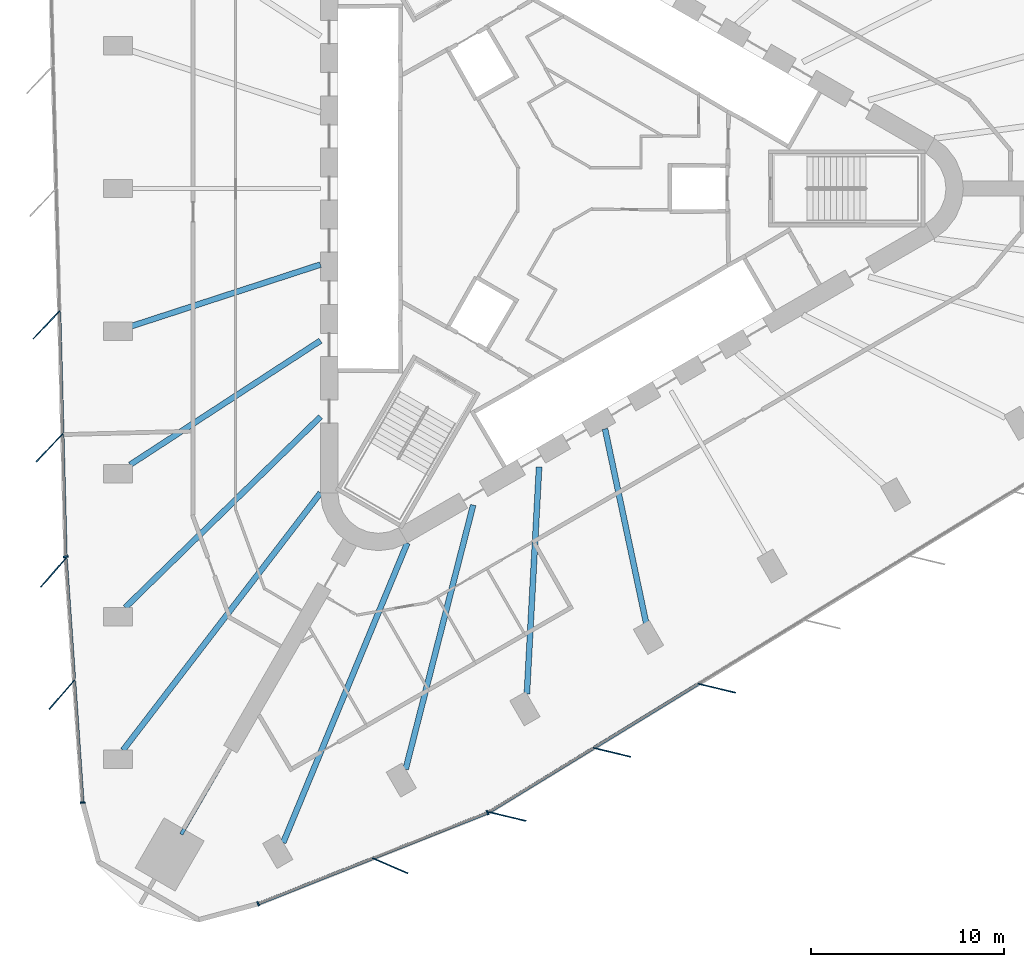
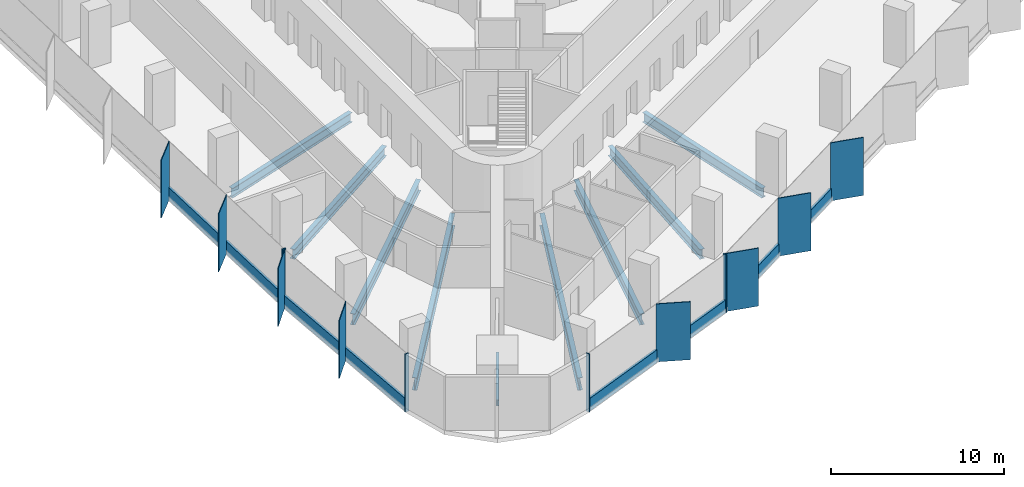
# One storey, part 2 of 14: 20 members, 9 beams, 4 elements without a shape of their own.
"""IFC4 building model written with IfcOpenShell, lengths in metres."""

from ifc_helpers import new_model, si_unit, direction, frame, origin, origin_2d, place, context, subcontext, project, spatial, rectangle, i_section, extrude, material, material_profile, profile_set, type_object, element, aggregate, save


model = new_model("IFC4")

# Units and contexts
model_context = context("Model", 3, precision=1e-05, world=origin(), true_north=direction((0.0, 1.0)))
body_context = subcontext(model_context, "Body", "Model", "MODEL_VIEW")
ifc_project = project(units=[si_unit("LENGTHUNIT", "METRE"), si_unit("AREAUNIT", "SQUARE_METRE"), si_unit("VOLUMEUNIT", "CUBIC_METRE"), si_unit("PLANEANGLEUNIT", "RADIAN"), si_unit("MASSUNIT", "GRAM", prefix="KILO")], contexts=[model_context])

# Site, building, storey
site_placement = place(None, origin())
site = spatial("IfcSite", under=ifc_project, at=site_placement, CompositionType="ELEMENT")
building_placement = place(site_placement, origin())
building = spatial("IfcBuilding", under=site, at=building_placement, Name="Tanit Gate Tower", CompositionType="ELEMENT")
storey_placement = place(building_placement, frame((0.0, 0.0, 143.89990234375)))
storey = spatial("IfcBuildingStorey", under=building, at=storey_placement, Name="L31", CompositionType="ELEMENT", Elevation=143.89990234375)

# Curtain wall, members
ifc_material_1 = material(Name="Aluminium bronze anodised and glass", Category="aluminium")
curtain_wall_type = type_object("IfcCurtainWallType", Name="Curtain wall typical low", PredefinedType="NOTDEFINED", material=ifc_material_1)
curtain_wall_1_placement = place(storey_placement, origin())
curtain_wall_1 = element("IfcCurtainWall", 1, at=curtain_wall_1_placement, inside=storey, type_object=curtain_wall_type, Name="Curtain wall L31 W2", PredefinedType="NOTDEFINED")
ifc_material_2 = material(Name="Aluminium bronze anodised", Category="aluminium")
ifc_material_profile_1 = material_profile(ifc_material_2, rectangle(XDim=2.0, YDim=0.055908203125, at=origin_2d()), Name="56x2000 bronze fin mullion")
ifc_profile_set_1 = profile_set([ifc_material_profile_1], Name="Aluminium bronze anodised")
member_type_1 = type_object("IfcMemberType", Name="FIN MULLION 56x2000 bronze", PredefinedType="MULLION", material=ifc_profile_set_1)
member_1_placement = place(storey_placement, frame((-26.29541015625, -7.067138671875, -0.2998046875), z_axis=(0.0, 0.0, 1.0), x_axis=(0.688538110764, 0.725200158595, 0.0)))
member_1 = element("IfcMember", 2, at=member_1_placement, type_object=member_type_1, Name="Fin mullion L31 W2.5", PredefinedType="MULLION", context=body_context, shape_type="SweptSolid", body=[
    extrude(rectangle(XDim=2.0, YDim=0.055908203125, at=origin_2d()), origin(), (0.0, 0.0, 1.0), 4.099853515625),
])
member_2_placement = place(storey_placement, frame((-26.130615234375, -13.4248046875, -0.2998046875), z_axis=(0.0, 0.0, 1.0), x_axis=(0.688538110764, 0.725200158595, 0.0)))
member_2 = element("IfcMember", 3, at=member_2_placement, type_object=member_type_1, Name="Fin mullion L31 W2.6", PredefinedType="MULLION", context=body_context, shape_type="SweptSolid", body=[
    extrude(rectangle(XDim=2.0, YDim=0.055908203125, at=origin_2d()), origin(), (0.0, 0.0, 1.0), 4.099853515625),
])

curtain_wall_2_placement = place(storey_placement, origin())
curtain_wall_2 = element("IfcCurtainWall", 4, at=curtain_wall_2_placement, inside=storey, type_object=curtain_wall_type, Name="Curtain wall L31 W3", PredefinedType="NOTDEFINED")
member_3_placement = place(storey_placement, frame((-25.930908203125, -19.890625, -0.2998046875), z_axis=(0.0, 0.0, 1.0), x_axis=(0.656773444634, 0.754087954037, 0.0)))
member_3 = element("IfcMember", 5, at=member_3_placement, type_object=member_type_1, Name="Fin mullion L31 W3.1", PredefinedType="MULLION", context=body_context, shape_type="SweptSolid", body=[
    extrude(rectangle(XDim=2.0, YDim=0.055908203125, at=origin_2d()), origin(), (0.0, 0.0, 1.0), 4.099853515625),
])
member_4_placement = place(storey_placement, frame((-25.49462890625, -26.216796875, -0.2998046875), z_axis=(0.0, 0.0, 1.0), x_axis=(0.656773444634, 0.754087954037, 0.0)))
member_4 = element("IfcMember", 6, at=member_4_placement, type_object=member_type_1, Name="Fin mullion L31 W3.2", PredefinedType="MULLION", context=body_context, shape_type="SweptSolid", body=[
    extrude(rectangle(XDim=2.0, YDim=0.055908203125, at=origin_2d()), origin(), (0.0, 0.0, 1.0), 4.099853515625),
])

# Curtain wall, member
curtain_wall_3_placement = place(storey_placement, origin())
curtain_wall_3 = element("IfcCurtainWall", 7, at=curtain_wall_3_placement, inside=storey, type_object=curtain_wall_type, Name="Curtain wall L31 SE1", PredefinedType="NOTDEFINED")
member_5_placement = place(storey_placement, frame((-8.491943359375, -35.07861328125, -0.2998046875), z_axis=(0.0, 0.0, 1.0), x_axis=(-0.918101720276, 0.396344838778, 0.0)))
member_5 = element("IfcMember", 8, at=member_5_placement, type_object=member_type_1, Name="Fin mullion L31 SE1.2", PredefinedType="MULLION", context=body_context, shape_type="SweptSolid", body=[
    extrude(rectangle(XDim=2.0, YDim=0.055908203125, at=origin_2d()), origin(), (0.0, 0.0, 1.0), 4.099853515625),
])

# Curtain wall, members
curtain_wall_4_placement = place(storey_placement, origin())
curtain_wall_4 = element("IfcCurtainWall", 9, at=curtain_wall_4_placement, inside=storey, type_object=curtain_wall_type, Name="Curtain wall L31 SE2", PredefinedType="NOTDEFINED")
member_6_placement = place(storey_placement, frame((-2.42578125, -32.525390625, -0.2998046875), z_axis=(0.0, 0.0, 1.0), x_axis=(-0.972310815553, 0.233691416098, 0.0)))
member_6 = element("IfcMember", 10, at=member_6_placement, type_object=member_type_1, Name="Fin mullion L31 SE2.1", PredefinedType="MULLION", context=body_context, shape_type="SweptSolid", body=[
    extrude(rectangle(XDim=2.0, YDim=0.055908203125, at=origin_2d()), origin(), (0.0, 0.0, 1.0), 4.099853515625),
])
member_7_placement = place(storey_placement, frame((2.997802734375, -29.203857421875, -0.2998046875), z_axis=(0.0, 0.0, 1.0), x_axis=(-0.972310815553, 0.233691416098, 0.0)))
member_7 = element("IfcMember", 11, at=member_7_placement, type_object=member_type_1, Name="Fin mullion L31 SE2.2", PredefinedType="MULLION", context=body_context, shape_type="SweptSolid", body=[
    extrude(rectangle(XDim=2.0, YDim=0.055908203125, at=origin_2d()), origin(), (0.0, 0.0, 1.0), 4.099853515625),
])
member_8_placement = place(storey_placement, frame((8.421142578125, -25.882080078125, -0.2998046875), z_axis=(0.0, 0.0, 1.0), x_axis=(-0.972310815553, 0.233691416098, 0.0)))
member_8 = element("IfcMember", 12, at=member_8_placement, type_object=member_type_1, Name="Fin mullion L31 SE2.3", PredefinedType="MULLION", context=body_context, shape_type="SweptSolid", body=[
    extrude(rectangle(XDim=2.0, YDim=0.055908203125, at=origin_2d()), origin(), (0.0, 0.0, 1.0), 4.099853515625),
])

# Member
ifc_material_3 = material(Name="Aluminium bronze anodised", Category="aluminium")
ifc_material_profile_2 = material_profile(ifc_material_3, rectangle(XDim=0.239990234375, YDim=0.080078125, at=origin_2d()), Name="80x240 bronze mullion")
ifc_profile_set_2 = profile_set([ifc_material_profile_2], Name="Aluminium bronze anodised")
member_type_2 = type_object("IfcMemberType", Name="Mullion 80x240 typical low", PredefinedType="MULLION", material=ifc_profile_set_2)
member_9_placement = place(storey_placement, frame((-25.292724609375, -19.07373046875, -0.2998046875), z_axis=(0.0, 0.0, 1.0), x_axis=(0.999663917086, 0.025923982634, 0.0)))
member_9 = element("IfcMember", 13, at=member_9_placement, type_object=member_type_2, Name="Mullion L31 W2.7", PredefinedType="MULLION", context=body_context, shape_type="SweptSolid", body=[
    extrude(rectangle(XDim=0.239990234375, YDim=0.080078125, at=origin_2d()), origin(), (0.0, 0.0, 1.0), 4.099853515625),
])

member_10_placement = place(storey_placement, frame((-24.416259765625, -31.80615234375, -0.2998046875), z_axis=(0.0, 0.0, 1.0), x_axis=(0.997629662315, 0.068811749506, 0.0)))
member_10 = element("IfcMember", 14, at=member_10_placement, type_object=member_type_2, Name="Mullion L31 W3.3", PredefinedType="MULLION", context=body_context, shape_type="SweptSolid", body=[
    extrude(rectangle(XDim=0.239990234375, YDim=0.080078125, at=origin_2d()), origin(), (0.0, 0.0, 1.0), 4.099853515625),
])

member_11_placement = place(storey_placement, frame((-15.3310546875, -37.0498046875, -0.2998046875), z_axis=(0.0, 0.0, 1.0), x_axis=(-0.368937829038, 0.929454075414, 0.0)))
member_11 = element("IfcMember", 15, at=member_11_placement, type_object=member_type_2, Name="Mullion L31 SE1.1", PredefinedType="MULLION", context=body_context, shape_type="SweptSolid", body=[
    extrude(rectangle(XDim=0.239990234375, YDim=0.080078125, at=origin_2d()), origin(), (0.0, 0.0, 1.0), 4.099853515625),
])

member_12_placement = place(storey_placement, frame((-3.447265625, -32.332763671875, -0.2998046875), z_axis=(0.0, 0.0, 1.0), x_axis=(-0.368937829038, 0.929454075414, 0.0)))
member_12 = element("IfcMember", 16, at=member_12_placement, type_object=member_type_2, Name="Mullion L31 SE1.3", PredefinedType="MULLION", context=body_context, shape_type="SweptSolid", body=[
    extrude(rectangle(XDim=0.239990234375, YDim=0.080078125, at=origin_2d()), origin(), (0.0, 0.0, 1.0), 4.099853515625),
])

# Beams
ifc_material_4 = material(Name="Steel S355", Category="steel")
ifc_material_profile_3 = material_profile(ifc_material_4, i_section(OverallWidth=0.300048828125, OverallDepth=0.68994140625, WebThickness=0.014404296875, FlangeThickness=0.027099609375, FilletRadius=0.027099609375, at=origin_2d()), Name="HEA 700")
ifc_profile_set_3 = profile_set([ifc_material_profile_3], Name="Steel S355")
beam_type_1 = type_object("IfcBeamType", Name="RADIAL GIRDER HEA 700 S355", PredefinedType="BEAM", material=ifc_profile_set_3)
beam_1_placement = place(storey_placement, frame((-21.94140625, -7.147216796875, -0.64501953125), z_axis=(0.950826843828, 0.309722961783, 0.0), x_axis=(-0.309722961783, 0.950826843828, 0.0)))
element("IfcBeam", 17, at=beam_1_placement, inside=storey, type_object=beam_type_1, Name="RADIAL GIRDER", PredefinedType="BEAM", context=body_context, shape_type="SweptSolid", body=[
    extrude(i_section(OverallWidth=0.300048828125, OverallDepth=0.68994140625, WebThickness=0.014404296875, FlangeThickness=0.027099609375, FilletRadius=0.027099609375, at=origin_2d()), origin(), (0.0, 0.0, 1.0), 10.34814453125),
])
beam_2_placement = place(storey_placement, frame((-21.962158203125, -14.307861328125, -0.64501953125), z_axis=(0.837879591386, 0.54585510013, 0.0), x_axis=(-0.54585510013, 0.837879591386, 0.0)))
element("IfcBeam", 18, at=beam_2_placement, inside=storey, type_object=beam_type_1, Name="RADIAL GIRDER", PredefinedType="BEAM", context=body_context, shape_type="SweptSolid", body=[
    extrude(i_section(OverallWidth=0.300048828125, OverallDepth=0.68994140625, WebThickness=0.014404296875, FlangeThickness=0.027099609375, FilletRadius=0.027099609375, at=origin_2d()), origin(), (0.0, 0.0, 1.0), 11.767822265625),
])
beam_3_placement = place(storey_placement, frame((-1.409912109375, -26.173828125, -0.64501953125), z_axis=(0.053793562389, 0.998552078084, 0.0), x_axis=(-0.998552078084, 0.053793562389, 0.0)))
element("IfcBeam", 19, at=beam_3_placement, inside=storey, type_object=beam_type_1, Name="RADIAL GIRDER", PredefinedType="BEAM", context=body_context, shape_type="SweptSolid", body=[
    extrude(i_section(OverallWidth=0.300048828125, OverallDepth=0.68994140625, WebThickness=0.014404296875, FlangeThickness=0.027099609375, FilletRadius=0.027099609375, at=origin_2d()), origin(), (0.0, 0.0, 1.0), 11.768310546875),
])
beam_4_placement = place(storey_placement, frame((4.781005859375, -22.5751953125, -0.64501953125), z_axis=(-0.207169644951, 0.978305033316, 0.0), x_axis=(-0.978305033316, -0.207169644951, 0.0)))
element("IfcBeam", 20, at=beam_4_placement, inside=storey, type_object=beam_type_1, Name="RADIAL GIRDER", PredefinedType="BEAM", context=body_context, shape_type="SweptSolid", body=[
    extrude(i_section(OverallWidth=0.300048828125, OverallDepth=0.68994140625, WebThickness=0.014404296875, FlangeThickness=0.027099609375, FilletRadius=0.027099609375, at=origin_2d()), origin(), (0.0, 0.0, 1.0), 10.34814453125),
])
ifc_material_5 = material(Name="Steel S355", Category="steel")
ifc_material_profile_4 = material_profile(ifc_material_5, i_section(OverallWidth=0.300048828125, OverallDepth=0.7900390625, WebThickness=0.014892578125, FlangeThickness=0.028076171875, FilletRadius=0.030029296875, at=origin_2d()), Name="HEA 800")
ifc_profile_set_4 = profile_set([ifc_material_profile_4], Name="Steel S355")
beam_type_2 = type_object("IfcBeamType", Name="RADIAL GIRDER HEA 800 S355", PredefinedType="BEAM", material=ifc_profile_set_4)
beam_5_placement = place(storey_placement, frame((-22.205078125, -21.69921875, -0.69482421875), z_axis=(0.715208800213, 0.698910847031, 0.0), x_axis=(-0.698910847031, 0.715208800213, 0.0)))
element("IfcBeam", 21, at=beam_5_placement, inside=storey, type_object=beam_type_2, Name="RADIAL GIRDER", PredefinedType="BEAM", context=body_context, shape_type="SweptSolid", body=[
    extrude(i_section(OverallWidth=0.300048828125, OverallDepth=0.7900390625, WebThickness=0.014892578125, FlangeThickness=0.028076171875, FilletRadius=0.030029296875, at=origin_2d()), origin(), (0.0, 0.0, 1.0), 14.1259765625),
])
beam_6_placement = place(storey_placement, frame((-7.689697265625, -30.079833984375, -0.69482421875), z_axis=(0.247680464788, 0.968841776227, 0.0), x_axis=(-0.968841776227, 0.247680464788, 0.0)))
element("IfcBeam", 22, at=beam_6_placement, inside=storey, type_object=beam_type_2, Name="RADIAL GIRDER", PredefinedType="BEAM", context=body_context, shape_type="SweptSolid", body=[
    extrude(i_section(OverallWidth=0.300048828125, OverallDepth=0.7900390625, WebThickness=0.014892578125, FlangeThickness=0.028076171875, FilletRadius=0.030029296875, at=origin_2d()), origin(), (0.0, 0.0, 1.0), 14.126220703125),
])
ifc_material_6 = material(Name="Steel S355", Category="steel")
ifc_material_profile_5 = material_profile(ifc_material_6, i_section(OverallWidth=0.300048828125, OverallDepth=0.889892578125, WebThickness=0.01611328125, FlangeThickness=0.030029296875, FilletRadius=0.030029296875, at=origin_2d()), Name="HEA 900")
ifc_profile_set_5 = profile_set([ifc_material_profile_5], Name="Steel S355")
beam_type_3 = type_object("IfcBeamType", Name="RADIAL GIRDER HEA 900 S355", PredefinedType="BEAM", material=ifc_profile_set_5)
for number, where, z_axis, x_axis, name in (
    (23, (-22.32666015625, -29.0908203125, -0.744873046875), (0.60883155025, 0.793299529446, 0.0), (-0.793299529446, 0.60883155025, 0.0), "RADIAL GIRDER"),
    (24, (-14.030029296875, -33.880859375, -0.744873046875), (0.382589309945, 0.923918513677, 0.0), (-0.923918513677, 0.382589309945, 0.0), "RADIAL GIRDER"),
):
    element("IfcBeam", number, at=place(storey_placement, frame(where, z_axis=z_axis, x_axis=x_axis)), inside=storey, type_object=beam_type_3, Name=name, PredefinedType="BEAM", context=body_context, shape_type="SweptSolid", body=[
        extrude(i_section(OverallWidth=0.300048828125, OverallDepth=0.889892578125, WebThickness=0.01611328125, FlangeThickness=0.030029296875, FilletRadius=0.030029296875, at=origin_2d()), origin(), (0.0, 0.0, 1.0), 16.794921875),
    ])
ifc_material_7 = material(Name="Steel S355", Category="steel")
ifc_material_profile_6 = material_profile(ifc_material_7, i_section(OverallWidth=0.179931640625, OverallDepth=0.39990234375, WebThickness=0.008544921875, FlangeThickness=0.013427734375, FilletRadius=0.02099609375, at=origin_2d()), Name="IPE 400")
ifc_profile_set_6 = profile_set([ifc_material_profile_6], Name="Steel S355")
beam_type_4 = type_object("IfcBeamType", Name="RADIAL GIRDER IPE 400 S355", PredefinedType="BEAM", material=ifc_profile_set_6)
beam_7_placement = place(storey_placement, frame((-19.31396484375, -33.45263671875, -0.5), z_axis=(0.500002508028, 0.866023955769, 0.0), x_axis=(-0.866023955769, 0.500002508028, 0.0)))
element("IfcBeam", 25, at=beam_7_placement, inside=storey, type_object=beam_type_4, Name="RADIAL GIRDER", PredefinedType="BEAM", context=body_context, shape_type="SweptSolid", body=[
    extrude(i_section(OverallWidth=0.179931640625, OverallDepth=0.39990234375, WebThickness=0.008544921875, FlangeThickness=0.013427734375, FilletRadius=0.02099609375, at=origin_2d()), origin(), (0.0, 0.0, 1.0), 4.8798828125),
])

# Member
ifc_material_8 = material(Name="Aluminium bronze anodised", Category="aluminium")
ifc_material_profile_7 = material_profile(ifc_material_8, rectangle(XDim=0.159912109375, YDim=0.89990234375, at=origin_2d()), Name="160x900 bronze transom")
ifc_profile_set_7 = profile_set([ifc_material_profile_7], Name="Aluminium bronze anodised")
member_type_3 = type_object("IfcMemberType", Name="Transom 160x900 typical low", PredefinedType="USERDEFINED", material=ifc_profile_set_7)
member_13_placement = place(storey_placement, frame((-25.62158203125, -6.3984375, 0.150146484375), z_axis=(0.025931462812, -0.999663723077, 0.0), x_axis=(0.999663723077, 0.025931462812, 0.0)))
member_13 = element("IfcMember", 26, at=member_13_placement, type_object=member_type_3, Name="Transom L31 W2.5", ObjectType="TRANSOM", PredefinedType="USERDEFINED", context=body_context, shape_type="SweptSolid", body=[
    extrude(rectangle(XDim=0.159912109375, YDim=0.89990234375, at=origin_2d()), origin(), (0.0, 0.0, 1.0), 6.27978515625),
])

member_14_placement = place(storey_placement, frame((-25.45654296875, -12.756103515625, 0.150146484375), z_axis=(0.025931462812, -0.999663723077, 0.0), x_axis=(0.999663723077, 0.025931462812, 0.0)))
member_14 = element("IfcMember", 27, at=member_14_placement, type_object=member_type_3, Name="Transom L31 W2.6", ObjectType="TRANSOM", PredefinedType="USERDEFINED", context=body_context, shape_type="SweptSolid", body=[
    extrude(rectangle(XDim=0.159912109375, YDim=0.89990234375, at=origin_2d()), origin(), (0.0, 0.0, 1.0), 6.27978515625),
])

aggregate(curtain_wall_1, [member_1, member_2, member_9, member_13, member_14])

member_15_placement = place(storey_placement, frame((-25.2861328125, -19.193603515625, 0.150146484375), z_axis=(0.068783356585, -0.997631620317, 0.0), x_axis=(0.997631620317, 0.068783356585, 0.0)))
member_15 = element("IfcMember", 28, at=member_15_placement, type_object=member_type_3, Name="Transom L31 W3.1", ObjectType="TRANSOM", PredefinedType="USERDEFINED", context=body_context, shape_type="SweptSolid", body=[
    extrude(rectangle(XDim=0.159912109375, YDim=0.89990234375, at=origin_2d()), origin(), (0.0, 0.0, 1.0), 6.26123046875),
])

member_16_placement = place(storey_placement, frame((-24.849853515625, -25.519775390625, 0.150146484375), z_axis=(0.068822164781, -0.997628943864, 0.0), x_axis=(0.997628943864, 0.068822164781, 0.0)))
member_16 = element("IfcMember", 29, at=member_16_placement, type_object=member_type_3, Name="Transom L31 W3.2", ObjectType="TRANSOM", PredefinedType="USERDEFINED", context=body_context, shape_type="SweptSolid", body=[
    extrude(rectangle(XDim=0.159912109375, YDim=0.89990234375, at=origin_2d()), origin(), (0.0, 0.0, 1.0), 6.26123046875),
])

aggregate(curtain_wall_2, [member_3, member_4, member_10, member_15, member_16])

member_17_placement = place(storey_placement, frame((-15.293701171875, -37.034912109375, 0.150146484375), z_axis=(0.929462927587, 0.368915527244, 0.0), x_axis=(-0.368915527244, 0.929462927587, 0.0)))
member_17 = element("IfcMember", 30, at=member_17_placement, type_object=member_type_3, Name="Transom L31 SE1.1", ObjectType="TRANSOM", PredefinedType="USERDEFINED", context=body_context, shape_type="SweptSolid", body=[
    extrude(rectangle(XDim=0.159912109375, YDim=0.89990234375, at=origin_2d()), origin(), (0.0, 0.0, 1.0), 6.312744140625),
])

member_18_placement = place(storey_placement, frame((-9.35205078125, -34.676513671875, 0.150146484375), z_axis=(0.929449665967, 0.368948937433, 0.0), x_axis=(-0.368948937433, 0.929449665967, 0.0)))
member_18 = element("IfcMember", 31, at=member_18_placement, type_object=member_type_3, Name="Transom L31 SE1.2", ObjectType="TRANSOM", PredefinedType="USERDEFINED", context=body_context, shape_type="SweptSolid", body=[
    extrude(rectangle(XDim=0.159912109375, YDim=0.89990234375, at=origin_2d()), origin(), (0.0, 0.0, 1.0), 6.312744140625),
])

aggregate(curtain_wall_3, [member_11, member_5, member_12, member_17, member_18])

member_19_placement = place(storey_placement, frame((-3.342041015625, -32.276123046875, 0.150146484375), z_axis=(0.852774977088, 0.522278506597, 0.0), x_axis=(-0.522278506597, 0.852774977088, 0.0)))
member_19 = element("IfcMember", 32, at=member_19_placement, type_object=member_type_3, Name="Transom L31 SE2.1", ObjectType="TRANSOM", PredefinedType="USERDEFINED", context=body_context, shape_type="SweptSolid", body=[
    extrude(rectangle(XDim=0.159912109375, YDim=0.89990234375, at=origin_2d()), origin(), (0.0, 0.0, 1.0), 6.27978515625),
])

member_20_placement = place(storey_placement, frame((2.08154296875, -28.95458984375, 0.150146484375), z_axis=(0.852757661536, 0.522306778333, 0.0), x_axis=(-0.522306778333, 0.852757661536, 0.0)))
member_20 = element("IfcMember", 33, at=member_20_placement, type_object=member_type_3, Name="Transom L31 SE2.2", ObjectType="TRANSOM", PredefinedType="USERDEFINED", context=body_context, shape_type="SweptSolid", body=[
    extrude(rectangle(XDim=0.159912109375, YDim=0.89990234375, at=origin_2d()), origin(), (0.0, 0.0, 1.0), 6.27978515625),
])

aggregate(curtain_wall_4, [member_6, member_7, member_8, member_19, member_20])

save(model, "model.ifc")
